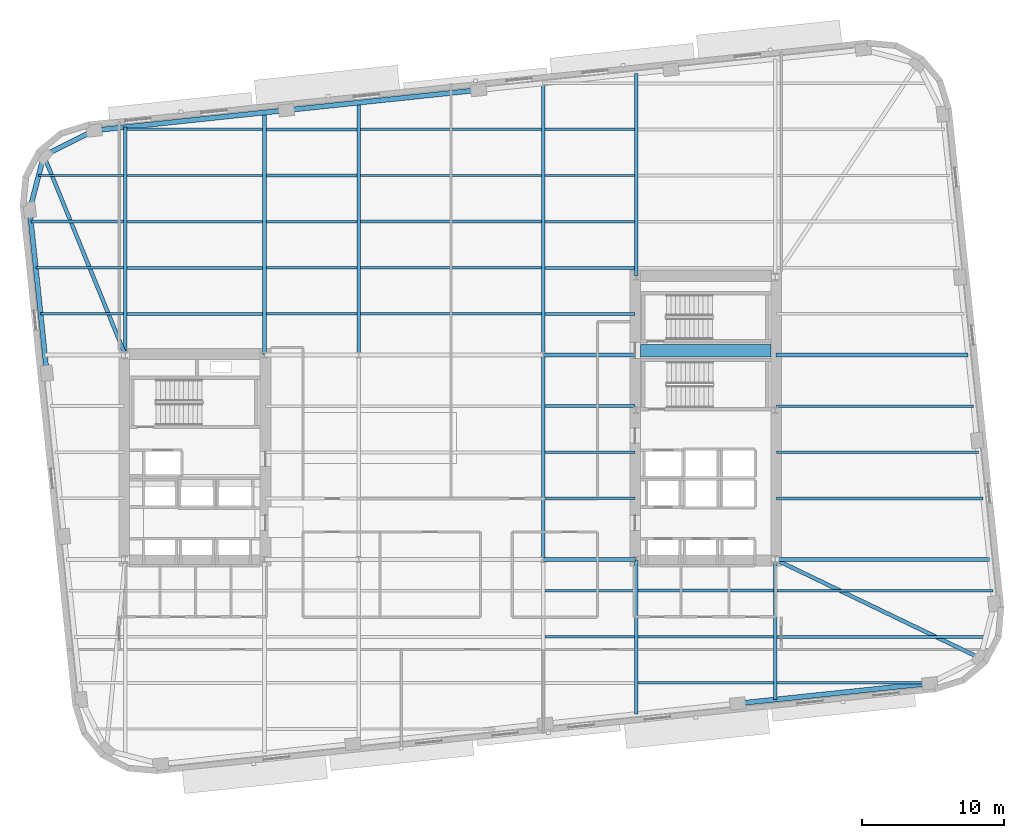
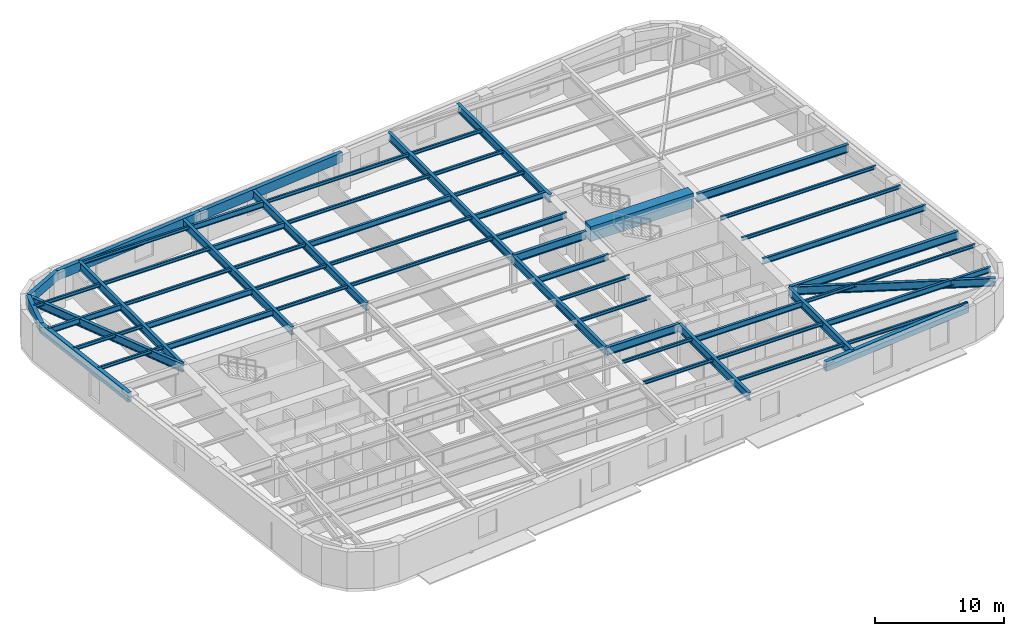
# One storey, part 2 of 12: 59 beams.
"""IFC4 building model written with IfcOpenShell, lengths in metres."""

from ifc_helpers import new_model, si_unit, direction, frame, origin, origin_2d, place, context, subcontext, project, spatial, rectangle, hollow_rectangle, i_section, extrude, material, material_profile, profile_set, type_object, element, save


model = new_model("IFC4")

# Units and contexts
model_context = context("Model", 3, precision=1e-05, world=origin(), true_north=direction((0.0, 1.0)))
body_context = subcontext(model_context, "Body", "Model", "MODEL_VIEW")
ifc_project = project(units=[si_unit("LENGTHUNIT", "METRE"), si_unit("AREAUNIT", "SQUARE_METRE"), si_unit("VOLUMEUNIT", "CUBIC_METRE"), si_unit("PLANEANGLEUNIT", "RADIAN"), si_unit("MASSUNIT", "GRAM", prefix="KILO")], contexts=[model_context])

# Site, building, storey
site_placement = place(None, origin())
site = spatial("IfcSite", under=ifc_project, at=site_placement, CompositionType="ELEMENT")
building_placement = place(site_placement, origin())
building = spatial("IfcBuilding", under=site, at=building_placement, Name="Kolvaren Arena Tower", CompositionType="ELEMENT")
storey_placement = place(building_placement, frame((0.0, 0.0, 110.949951171875)))
storey = spatial("IfcBuildingStorey", under=building, at=storey_placement, Name="L25", CompositionType="ELEMENT", Elevation=110.949951171875)

# Beams
ifc_material_1 = material(Name="Steel CSA G40.21 350W", Category="steel")
ifc_material_profile_1 = material_profile(ifc_material_1, i_section(OverallWidth=0.2119140625, OverallDepth=0.54296875, WebThickness=0.01318359375, FlangeThickness=0.0244140625, FilletRadius=0.013916015625, at=origin_2d()), Name="W530x150")
ifc_profile_set_1 = profile_set([ifc_material_profile_1], Name="Steel CSA G40.21 350W")
beam_type_1 = type_object("IfcBeamType", Name="BEAM-F1", PredefinedType="BEAM", material=ifc_profile_set_1)
beam_1_placement = place(storey_placement, frame((60.485107421875, 14.0, 3.20849609375), z_axis=(1.0, 0.0, 0.0), x_axis=(0.0, 1.0, 0.0)))
element("IfcBeam", 1, at=beam_1_placement, inside=storey, type_object=beam_type_1, Name="Composite Floor Beam (L25)", PredefinedType="BEAM", context=body_context, shape_type="SweptSolid", body=[
    extrude(i_section(OverallWidth=0.2119140625, OverallDepth=0.54296875, WebThickness=0.01318359375, FlangeThickness=0.0244140625, FilletRadius=0.013916015625, at=origin_2d()), origin(), (0.0, 0.0, 1.0), 14.69677734375),
])
beam_2_placement = place(storey_placement, frame((50.68505859375, 17.25, 3.20849609375), z_axis=(1.0, 0.0, 0.0), x_axis=(0.0, 1.0, 0.0)))
element("IfcBeam", 2, at=beam_2_placement, inside=storey, type_object=beam_type_1, Name="Composite Floor Beam (L25)", PredefinedType="BEAM", context=body_context, shape_type="SweptSolid", body=[
    extrude(i_section(OverallWidth=0.2119140625, OverallDepth=0.54296875, WebThickness=0.01318359375, FlangeThickness=0.0244140625, FilletRadius=0.013916015625, at=origin_2d()), origin(), (0.0, 0.0, 1.0), 9.530029296875),
])
beam_3_placement = place(storey_placement, frame((60.445068359375, 23.75, 3.20849609375), z_axis=(1.0, 0.0, 0.0), x_axis=(0.0, 1.0, 0.0)))
element("IfcBeam", 3, at=beam_3_placement, inside=storey, type_object=beam_type_1, Name="Composite Floor Beam (L25)", PredefinedType="BEAM", context=body_context, shape_type="SweptSolid", body=[
    extrude(i_section(OverallWidth=0.2119140625, OverallDepth=0.54296875, WebThickness=0.01318359375, FlangeThickness=0.0244140625, FilletRadius=0.013916015625, at=origin_2d()), origin(), (0.0, 0.0, 1.0), 14.56103515625),
])
beam_4_placement = place(storey_placement, frame((44.135009765625, 30.25, 3.20849609375), z_axis=(1.0, 0.0, 0.0), x_axis=(0.0, 1.0, 0.0)))
element("IfcBeam", 4, at=beam_4_placement, inside=storey, type_object=beam_type_1, Name="Composite Floor Beam (L25)", PredefinedType="BEAM", context=body_context, shape_type="SweptSolid", body=[
    extrude(i_section(OverallWidth=0.2119140625, OverallDepth=0.54296875, WebThickness=0.01318359375, FlangeThickness=0.0244140625, FilletRadius=0.013916015625, at=origin_2d()), origin(), (0.0, 0.0, 1.0), 6.320068359375),
])
beam_5_placement = place(storey_placement, frame((14.68505859375, 36.75, 3.20849609375), z_axis=(1.0, 0.0, 0.0), x_axis=(0.0, 1.0, 0.0)))
element("IfcBeam", 5, at=beam_5_placement, inside=storey, type_object=beam_type_1, Name="Composite Floor Beam (L25)", PredefinedType="BEAM", context=body_context, shape_type="SweptSolid", body=[
    extrude(i_section(OverallWidth=0.2119140625, OverallDepth=0.54296875, WebThickness=0.01318359375, FlangeThickness=0.0244140625, FilletRadius=0.013916015625, at=origin_2d()), origin(), (0.0, 0.0, 1.0), 9.530029296875),
])
beam_6_placement = place(storey_placement, frame((44.135009765625, 36.75, 3.20849609375), z_axis=(1.0, 0.0, 0.0), x_axis=(0.0, 1.0, 0.0)))
element("IfcBeam", 6, at=beam_6_placement, inside=storey, type_object=beam_type_1, Name="Composite Floor Beam (L25)", PredefinedType="BEAM", context=body_context, shape_type="SweptSolid", body=[
    extrude(i_section(OverallWidth=0.2119140625, OverallDepth=0.54296875, WebThickness=0.01318359375, FlangeThickness=0.0244140625, FilletRadius=0.013916015625, at=origin_2d()), origin(), (0.0, 0.0, 1.0), 6.320068359375),
])
beam_7_placement = place(storey_placement, frame((14.68505859375, 40.0, 3.20849609375), z_axis=(1.0, 0.0, 0.0), x_axis=(0.0, 1.0, 0.0)))
element("IfcBeam", 7, at=beam_7_placement, inside=storey, type_object=beam_type_1, Name="Composite Floor Beam (L25)", PredefinedType="BEAM", context=body_context, shape_type="SweptSolid", body=[
    extrude(i_section(OverallWidth=0.2119140625, OverallDepth=0.54296875, WebThickness=0.01318359375, FlangeThickness=0.0244140625, FilletRadius=0.013916015625, at=origin_2d()), origin(), (0.0, 0.0, 1.0), 9.530029296875),
])
beam_8_placement = place(storey_placement, frame((44.135009765625, 40.0, 3.20849609375), z_axis=(1.0, 0.0, 0.0), x_axis=(0.0, 1.0, 0.0)))
element("IfcBeam", 8, at=beam_8_placement, inside=storey, type_object=beam_type_1, Name="Composite Floor Beam (L25)", PredefinedType="BEAM", context=body_context, shape_type="SweptSolid", body=[
    extrude(i_section(OverallWidth=0.2119140625, OverallDepth=0.54296875, WebThickness=0.01318359375, FlangeThickness=0.0244140625, FilletRadius=0.013916015625, at=origin_2d()), origin(), (0.0, 0.0, 1.0), 6.280029296875),
])
beam_9_placement = place(storey_placement, frame((7.900146484375, 43.25, 3.20849609375), z_axis=(1.0, 0.0, 0.0), x_axis=(0.0, 1.0, 0.0)))
element("IfcBeam", 9, at=beam_9_placement, inside=storey, type_object=beam_type_1, Name="Composite Floor Beam (L25)", PredefinedType="BEAM", context=body_context, shape_type="SweptSolid", body=[
    extrude(i_section(OverallWidth=0.2119140625, OverallDepth=0.54296875, WebThickness=0.01318359375, FlangeThickness=0.0244140625, FilletRadius=0.013916015625, at=origin_2d()), origin(), (0.0, 0.0, 1.0), 6.514892578125),
])
beam_10_placement = place(storey_placement, frame((31.135009765625, 43.25, 3.20849609375), z_axis=(1.0, 0.0, 0.0), x_axis=(0.0, 1.0, 0.0)))
element("IfcBeam", 10, at=beam_10_placement, inside=storey, type_object=beam_type_1, Name="Composite Floor Beam (L25)", PredefinedType="BEAM", context=body_context, shape_type="SweptSolid", body=[
    extrude(i_section(OverallWidth=0.2119140625, OverallDepth=0.54296875, WebThickness=0.01318359375, FlangeThickness=0.0244140625, FilletRadius=0.013916015625, at=origin_2d()), origin(), (0.0, 0.0, 1.0), 12.72998046875),
])
for number, where, z_axis, x_axis, name in (
    (11, (24.485107421875, 46.5, 3.20849609375), (1.0, 0.0, 0.0), (0.0, 1.0, 0.0), "Composite Floor Beam (L25)"),
    (12, (24.485107421875, 49.75, 3.20849609375), (1.0, 0.0, 0.0), (0.0, 1.0, 0.0), "Composite Floor Beam (L25)"),
):
    element("IfcBeam", number, at=place(storey_placement, frame(where, z_axis=z_axis, x_axis=x_axis)), inside=storey, type_object=beam_type_1, Name=name, PredefinedType="BEAM", context=body_context, shape_type="SweptSolid", body=[
        extrude(i_section(OverallWidth=0.2119140625, OverallDepth=0.54296875, WebThickness=0.01318359375, FlangeThickness=0.0244140625, FilletRadius=0.013916015625, at=origin_2d()), origin(), (0.0, 0.0, 1.0), 6.3798828125),
    ])
ifc_material_2 = material(Name="Concrete 75 MPa", Category="concrete")
ifc_material_profile_2 = material_profile(ifc_material_2, rectangle(XDim=0.89990234375, YDim=1.39990234375, at=origin_2d()), Name="RC-900x1400")
ifc_profile_set_2 = profile_set([ifc_material_profile_2], Name="Concrete 75 MPa")
beam_type_2 = type_object("IfcBeamType", Name="CB-CORE-1", PredefinedType="BEAM", material=ifc_profile_set_2)
beam_11_placement = place(storey_placement, frame((50.85009765625, 34.14990234375, 3.050048828125), z_axis=(1.0, 0.0, 0.0), x_axis=(0.0, 1.0, 0.0)))
element("IfcBeam", 13, at=beam_11_placement, inside=storey, type_object=beam_type_2, Name="East Core Coupling Beam (L25)", PredefinedType="BEAM", context=body_context, shape_type="SweptSolid", body=[
    extrude(rectangle(XDim=0.89990234375, YDim=1.39990234375, at=origin_2d()), origin(), (0.0, 0.0, 1.0), 9.199951171875),
])
ifc_material_profile_3 = material_profile(ifc_material_1, i_section(OverallWidth=0.27001953125, OverallDepth=0.77294921875, WebThickness=0.019287109375, FlangeThickness=0.033447265625, FilletRadius=0.01806640625, at=origin_2d()), Name="W760x257")
ifc_profile_set_3 = profile_set([ifc_material_profile_3], Name="Steel CSA G40.21 350W")
beam_type_3 = type_object("IfcBeamType", Name="GIRD-T1", PredefinedType="BEAM", material=ifc_profile_set_3)
beam_12_placement = place(storey_placement, frame((74.790283203125, 12.49267578125, 3.093505859375), z_axis=(-0.900889626424, 0.43404824732, 0.0), x_axis=(-0.43404824732, -0.900889626424, 0.0)))
element("IfcBeam", 14, at=beam_12_placement, inside=storey, type_object=beam_type_3, Name="Corner Diagonal Tie Girder (L25)", PredefinedType="BEAM", context=body_context, shape_type="SweptSolid", body=[
    extrude(i_section(OverallWidth=0.27001953125, OverallDepth=0.77294921875, WebThickness=0.019287109375, FlangeThickness=0.033447265625, FilletRadius=0.01806640625, at=origin_2d()), origin(), (0.0, 0.0, 1.0), 16.02880859375),
])
beam_13_placement = place(storey_placement, frame((8.8095703125, 47.9072265625, 3.093505859375), z_axis=(0.378059288681, -0.925781385772, 0.0), x_axis=(0.925781385772, 0.378059288681, 0.0)))
element("IfcBeam", 15, at=beam_13_placement, inside=storey, type_object=beam_type_3, Name="Corner Diagonal Tie Girder (L25)", PredefinedType="BEAM", context=body_context, shape_type="SweptSolid", body=[
    extrude(i_section(OverallWidth=0.27001953125, OverallDepth=0.77294921875, WebThickness=0.019287109375, FlangeThickness=0.033447265625, FilletRadius=0.01806640625, at=origin_2d()), origin(), (0.0, 0.0, 1.0), 15.18408203125),
])
beam_14_placement = place(storey_placement, frame((44.0, 19.449951171875, 3.093505859375), z_axis=(1.0, 0.0, 0.0), x_axis=(0.0, 1.0, 0.0)))
element("IfcBeam", 16, at=beam_14_placement, inside=storey, type_object=beam_type_3, Name="Primary Floor Girder (L25)", PredefinedType="BEAM", context=body_context, shape_type="SweptSolid", body=[
    extrude(i_section(OverallWidth=0.27001953125, OverallDepth=0.77294921875, WebThickness=0.019287109375, FlangeThickness=0.033447265625, FilletRadius=0.01806640625, at=origin_2d()), origin(), (0.0, 0.0, 1.0), 6.4951171875),
])
beam_15_placement = place(storey_placement, frame((60.405029296875, 19.449951171875, 3.093505859375), z_axis=(1.0, 0.0, 0.0), x_axis=(0.0, 1.0, 0.0)))
element("IfcBeam", 17, at=beam_15_placement, inside=storey, type_object=beam_type_3, Name="Primary Floor Girder (L25)", PredefinedType="BEAM", context=body_context, shape_type="SweptSolid", body=[
    extrude(i_section(OverallWidth=0.27001953125, OverallDepth=0.77294921875, WebThickness=0.019287109375, FlangeThickness=0.033447265625, FilletRadius=0.01806640625, at=origin_2d()), origin(), (0.0, 0.0, 1.0), 15.052978515625),
])
beam_16_placement = place(storey_placement, frame((44.0, 33.85009765625, 3.093505859375), z_axis=(1.0, 0.0, 0.0), x_axis=(0.0, 1.0, 0.0)))
element("IfcBeam", 18, at=beam_16_placement, inside=storey, type_object=beam_type_3, Name="Primary Floor Girder (L25)", PredefinedType="BEAM", context=body_context, shape_type="SweptSolid", body=[
    extrude(i_section(OverallWidth=0.27001953125, OverallDepth=0.77294921875, WebThickness=0.019287109375, FlangeThickness=0.033447265625, FilletRadius=0.01806640625, at=origin_2d()), origin(), (0.0, 0.0, 1.0), 6.4951171875),
])
beam_17_placement = place(storey_placement, frame((60.405029296875, 33.85009765625, 3.093505859375), z_axis=(1.0, 0.0, 0.0), x_axis=(0.0, 1.0, 0.0)))
element("IfcBeam", 19, at=beam_17_placement, inside=storey, type_object=beam_type_3, Name="Primary Floor Girder (L25)", PredefinedType="BEAM", context=body_context, shape_type="SweptSolid", body=[
    extrude(i_section(OverallWidth=0.27001953125, OverallDepth=0.77294921875, WebThickness=0.019287109375, FlangeThickness=0.033447265625, FilletRadius=0.01806640625, at=origin_2d()), origin(), (0.0, 0.0, 1.0), 13.53955078125),
])
beam_18_placement = place(storey_placement, frame((14.550048828125, 33.905029296875, 3.093505859375), z_axis=(0.0, 1.0, 0.0), x_axis=(-1.0, 0.0, 0.0)))
element("IfcBeam", 20, at=beam_18_placement, inside=storey, type_object=beam_type_3, Name="Primary Floor Girder (L25)", PredefinedType="BEAM", context=body_context, shape_type="SweptSolid", body=[
    extrude(i_section(OverallWidth=0.27001953125, OverallDepth=0.77294921875, WebThickness=0.019287109375, FlangeThickness=0.033447265625, FilletRadius=0.01806640625, at=origin_2d()), origin(), (0.0, 0.0, 1.0), 16.004638671875),
])
beam_19_placement = place(storey_placement, frame((24.35009765625, 33.905029296875, 3.093505859375), z_axis=(0.0, 1.0, 0.0), x_axis=(-1.0, 0.0, 0.0)))
element("IfcBeam", 21, at=beam_19_placement, inside=storey, type_object=beam_type_3, Name="Primary Floor Girder (L25)", PredefinedType="BEAM", context=body_context, shape_type="SweptSolid", body=[
    extrude(i_section(OverallWidth=0.27001953125, OverallDepth=0.77294921875, WebThickness=0.019287109375, FlangeThickness=0.033447265625, FilletRadius=0.01806640625, at=origin_2d()), origin(), (0.0, 0.0, 1.0), 17.03466796875),
])
beam_20_placement = place(storey_placement, frame((31.0, 33.85009765625, 3.093505859375), z_axis=(0.0, 1.0, 0.0), x_axis=(-1.0, 0.0, 0.0)))
element("IfcBeam", 22, at=beam_20_placement, inside=storey, type_object=beam_type_3, Name="Primary Floor Girder (L25)", PredefinedType="BEAM", context=body_context, shape_type="SweptSolid", body=[
    extrude(i_section(OverallWidth=0.27001953125, OverallDepth=0.77294921875, WebThickness=0.019287109375, FlangeThickness=0.033447265625, FilletRadius=0.01806640625, at=origin_2d()), origin(), (0.0, 0.0, 1.0), 17.788330078125),
])
beam_21_placement = place(storey_placement, frame((44.0, 19.449951171875, 3.093505859375), z_axis=(0.0, 1.0, 0.0), x_axis=(-1.0, 0.0, 0.0)))
element("IfcBeam", 23, at=beam_21_placement, inside=storey, type_object=beam_type_3, Name="Primary Floor Girder (L25)", PredefinedType="BEAM", context=body_context, shape_type="SweptSolid", body=[
    extrude(i_section(OverallWidth=0.27001953125, OverallDepth=0.77294921875, WebThickness=0.019287109375, FlangeThickness=0.033447265625, FilletRadius=0.01806640625, at=origin_2d()), origin(), (0.0, 0.0, 1.0), 14.400146484375),
])
beam_22_placement = place(storey_placement, frame((44.0, 33.85009765625, 3.093505859375), z_axis=(0.0, 1.0, 0.0), x_axis=(-1.0, 0.0, 0.0)))
element("IfcBeam", 24, at=beam_22_placement, inside=storey, type_object=beam_type_3, Name="Primary Floor Girder (L25)", PredefinedType="BEAM", context=body_context, shape_type="SweptSolid", body=[
    extrude(i_section(OverallWidth=0.27001953125, OverallDepth=0.77294921875, WebThickness=0.019287109375, FlangeThickness=0.033447265625, FilletRadius=0.01806640625, at=origin_2d()), origin(), (0.0, 0.0, 1.0), 19.15478515625),
])
beam_23_placement = place(storey_placement, frame((50.550048828125, 8.5458984375, 3.093505859375), z_axis=(0.0, 1.0, 0.0), x_axis=(-1.0, 0.0, 0.0)))
element("IfcBeam", 25, at=beam_23_placement, inside=storey, type_object=beam_type_3, Name="Primary Floor Girder (L25)", PredefinedType="BEAM", context=body_context, shape_type="SweptSolid", body=[
    extrude(i_section(OverallWidth=0.27001953125, OverallDepth=0.77294921875, WebThickness=0.019287109375, FlangeThickness=0.033447265625, FilletRadius=0.01806640625, at=origin_2d()), origin(), (0.0, 0.0, 1.0), 10.84912109375),
])
beam_24_placement = place(storey_placement, frame((50.550048828125, 39.405029296875, 3.093505859375), z_axis=(0.0, 1.0, 0.0), x_axis=(-1.0, 0.0, 0.0)))
element("IfcBeam", 26, at=beam_24_placement, inside=storey, type_object=beam_type_3, Name="Primary Floor Girder (L25)", PredefinedType="BEAM", context=body_context, shape_type="SweptSolid", body=[
    extrude(i_section(OverallWidth=0.27001953125, OverallDepth=0.77294921875, WebThickness=0.019287109375, FlangeThickness=0.033447265625, FilletRadius=0.01806640625, at=origin_2d()), origin(), (0.0, 0.0, 1.0), 14.288330078125),
])
beam_25_placement = place(storey_placement, frame((60.35009765625, 9.575927734375, 3.093505859375), z_axis=(0.0, 1.0, 0.0), x_axis=(-1.0, 0.0, 0.0)))
element("IfcBeam", 27, at=beam_25_placement, inside=storey, type_object=beam_type_3, Name="Primary Floor Girder (L25)", PredefinedType="BEAM", context=body_context, shape_type="SweptSolid", body=[
    extrude(i_section(OverallWidth=0.27001953125, OverallDepth=0.77294921875, WebThickness=0.019287109375, FlangeThickness=0.033447265625, FilletRadius=0.01806640625, at=origin_2d()), origin(), (0.0, 0.0, 1.0), 9.819091796875),
])
ifc_material_profile_4 = material_profile(ifc_material_1, i_section(OverallWidth=0.1669921875, OverallDepth=0.31689453125, WebThickness=0.007568359375, FlangeThickness=0.01318359375, FilletRadius=0.010009765625, at=origin_2d()), Name="W310x52")
ifc_profile_set_4 = profile_set([ifc_material_profile_4], Name="Steel CSA G40.21 350W")
beam_type_4 = type_object("IfcBeamType", Name="JOIST-02", PredefinedType="JOIST", material=ifc_profile_set_4)
beam_26_placement = place(storey_placement, frame((50.68505859375, 10.75, 3.321533203125), z_axis=(1.0, 0.0, 0.0), x_axis=(0.0, 1.0, 0.0)))
element("IfcBeam", 28, at=beam_26_placement, inside=storey, type_object=beam_type_4, Name="Composite Floor Joist (L25)", PredefinedType="JOIST", context=body_context, shape_type="SweptSolid", body=[
    extrude(i_section(OverallWidth=0.1669921875, OverallDepth=0.31689453125, WebThickness=0.007568359375, FlangeThickness=0.01318359375, FilletRadius=0.010009765625, at=origin_2d()), origin(), (0.0, 0.0, 1.0), 9.530029296875),
])
beam_27_placement = place(storey_placement, frame((60.485107421875, 10.75, 3.321533203125), z_axis=(1.0, 0.0, 0.0), x_axis=(0.0, 1.0, 0.0)))
element("IfcBeam", 29, at=beam_27_placement, inside=storey, type_object=beam_type_4, Name="Composite Floor Joist (L25)", PredefinedType="JOIST", context=body_context, shape_type="SweptSolid", body=[
    extrude(i_section(OverallWidth=0.1669921875, OverallDepth=0.31689453125, WebThickness=0.007568359375, FlangeThickness=0.01318359375, FilletRadius=0.010009765625, at=origin_2d()), origin(), (0.0, 0.0, 1.0), 10.819580078125),
])
beam_28_placement = place(storey_placement, frame((44.135009765625, 14.0, 3.321533203125), z_axis=(1.0, 0.0, 0.0), x_axis=(0.0, 1.0, 0.0)))
element("IfcBeam", 30, at=beam_28_placement, inside=storey, type_object=beam_type_4, Name="Composite Floor Joist (L25)", PredefinedType="JOIST", context=body_context, shape_type="SweptSolid", body=[
    extrude(i_section(OverallWidth=0.1669921875, OverallDepth=0.31689453125, WebThickness=0.007568359375, FlangeThickness=0.01318359375, FilletRadius=0.010009765625, at=origin_2d()), origin(), (0.0, 0.0, 1.0), 6.280029296875),
])
beam_29_placement = place(storey_placement, frame((50.68505859375, 14.0, 3.321533203125), z_axis=(1.0, 0.0, 0.0), x_axis=(0.0, 1.0, 0.0)))
element("IfcBeam", 31, at=beam_29_placement, inside=storey, type_object=beam_type_4, Name="Composite Floor Joist (L25)", PredefinedType="JOIST", context=body_context, shape_type="SweptSolid", body=[
    extrude(i_section(OverallWidth=0.1669921875, OverallDepth=0.31689453125, WebThickness=0.007568359375, FlangeThickness=0.01318359375, FilletRadius=0.010009765625, at=origin_2d()), origin(), (0.0, 0.0, 1.0), 9.530029296875),
])
beam_30_placement = place(storey_placement, frame((44.135009765625, 17.25, 3.321533203125), z_axis=(1.0, 0.0, 0.0), x_axis=(0.0, 1.0, 0.0)))
element("IfcBeam", 32, at=beam_30_placement, inside=storey, type_object=beam_type_4, Name="Composite Floor Joist (L25)", PredefinedType="JOIST", context=body_context, shape_type="SweptSolid", body=[
    extrude(i_section(OverallWidth=0.1669921875, OverallDepth=0.31689453125, WebThickness=0.007568359375, FlangeThickness=0.01318359375, FilletRadius=0.010009765625, at=origin_2d()), origin(), (0.0, 0.0, 1.0), 6.280029296875),
])
beam_31_placement = place(storey_placement, frame((60.485107421875, 17.25, 3.321533203125), z_axis=(1.0, 0.0, 0.0), x_axis=(0.0, 1.0, 0.0)))
element("IfcBeam", 33, at=beam_31_placement, inside=storey, type_object=beam_type_4, Name="Composite Floor Joist (L25)", PredefinedType="JOIST", context=body_context, shape_type="SweptSolid", body=[
    extrude(i_section(OverallWidth=0.1669921875, OverallDepth=0.31689453125, WebThickness=0.007568359375, FlangeThickness=0.01318359375, FilletRadius=0.010009765625, at=origin_2d()), origin(), (0.0, 0.0, 1.0), 15.2041015625),
])
for number, where, z_axis, x_axis, name in (
    (34, (44.135009765625, 23.75, 3.321533203125), (1.0, 0.0, 0.0), (0.0, 1.0, 0.0), "Composite Floor Joist (L25)"),
    (35, (44.135009765625, 27.0, 3.321533203125), (1.0, 0.0, 0.0), (0.0, 1.0, 0.0), "Composite Floor Joist (L25)"),
):
    element("IfcBeam", number, at=place(storey_placement, frame(where, z_axis=z_axis, x_axis=x_axis)), inside=storey, type_object=beam_type_4, Name=name, PredefinedType="JOIST", context=body_context, shape_type="SweptSolid", body=[
        extrude(i_section(OverallWidth=0.1669921875, OverallDepth=0.31689453125, WebThickness=0.007568359375, FlangeThickness=0.01318359375, FilletRadius=0.010009765625, at=origin_2d()), origin(), (0.0, 0.0, 1.0), 6.320068359375),
    ])
beam_32_placement = place(storey_placement, frame((60.445068359375, 27.0, 3.321533203125), z_axis=(1.0, 0.0, 0.0), x_axis=(0.0, 1.0, 0.0)))
element("IfcBeam", 36, at=beam_32_placement, inside=storey, type_object=beam_type_4, Name="Composite Floor Joist (L25)", PredefinedType="JOIST", context=body_context, shape_type="SweptSolid", body=[
    extrude(i_section(OverallWidth=0.1669921875, OverallDepth=0.31689453125, WebThickness=0.007568359375, FlangeThickness=0.01318359375, FilletRadius=0.010009765625, at=origin_2d()), origin(), (0.0, 0.0, 1.0), 14.219482421875),
])
beam_33_placement = place(storey_placement, frame((60.445068359375, 30.25, 3.321533203125), z_axis=(1.0, 0.0, 0.0), x_axis=(0.0, 1.0, 0.0)))
element("IfcBeam", 37, at=beam_33_placement, inside=storey, type_object=beam_type_4, Name="Composite Floor Joist (L25)", PredefinedType="JOIST", context=body_context, shape_type="SweptSolid", body=[
    extrude(i_section(OverallWidth=0.1669921875, OverallDepth=0.31689453125, WebThickness=0.007568359375, FlangeThickness=0.01318359375, FilletRadius=0.010009765625, at=origin_2d()), origin(), (0.0, 0.0, 1.0), 13.8779296875),
])
beam_34_placement = place(storey_placement, frame((8.58349609375, 36.75, 3.321533203125), z_axis=(1.0, 0.0, 0.0), x_axis=(0.0, 1.0, 0.0)))
element("IfcBeam", 38, at=beam_34_placement, inside=storey, type_object=beam_type_4, Name="Composite Floor Joist (L25)", PredefinedType="JOIST", context=body_context, shape_type="SweptSolid", body=[
    extrude(i_section(OverallWidth=0.1669921875, OverallDepth=0.31689453125, WebThickness=0.007568359375, FlangeThickness=0.01318359375, FilletRadius=0.010009765625, at=origin_2d()), origin(), (0.0, 0.0, 1.0), 5.83154296875),
])
beam_35_placement = place(storey_placement, frame((24.485107421875, 36.75, 3.321533203125), z_axis=(1.0, 0.0, 0.0), x_axis=(0.0, 1.0, 0.0)))
element("IfcBeam", 39, at=beam_35_placement, inside=storey, type_object=beam_type_4, Name="Composite Floor Joist (L25)", PredefinedType="JOIST", context=body_context, shape_type="SweptSolid", body=[
    extrude(i_section(OverallWidth=0.1669921875, OverallDepth=0.31689453125, WebThickness=0.007568359375, FlangeThickness=0.01318359375, FilletRadius=0.010009765625, at=origin_2d()), origin(), (0.0, 0.0, 1.0), 6.3798828125),
])
beam_36_placement = place(storey_placement, frame((31.135009765625, 36.75, 3.321533203125), z_axis=(1.0, 0.0, 0.0), x_axis=(0.0, 1.0, 0.0)))
element("IfcBeam", 40, at=beam_36_placement, inside=storey, type_object=beam_type_4, Name="Composite Floor Joist (L25)", PredefinedType="JOIST", context=body_context, shape_type="SweptSolid", body=[
    extrude(i_section(OverallWidth=0.1669921875, OverallDepth=0.31689453125, WebThickness=0.007568359375, FlangeThickness=0.01318359375, FilletRadius=0.010009765625, at=origin_2d()), origin(), (0.0, 0.0, 1.0), 12.72998046875),
])
beam_37_placement = place(storey_placement, frame((8.24169921875, 40.0, 3.321533203125), z_axis=(1.0, 0.0, 0.0), x_axis=(0.0, 1.0, 0.0)))
element("IfcBeam", 41, at=beam_37_placement, inside=storey, type_object=beam_type_4, Name="Composite Floor Joist (L25)", PredefinedType="JOIST", context=body_context, shape_type="SweptSolid", body=[
    extrude(i_section(OverallWidth=0.1669921875, OverallDepth=0.31689453125, WebThickness=0.007568359375, FlangeThickness=0.01318359375, FilletRadius=0.010009765625, at=origin_2d()), origin(), (0.0, 0.0, 1.0), 6.17333984375),
])
beam_38_placement = place(storey_placement, frame((24.485107421875, 40.0, 3.321533203125), z_axis=(1.0, 0.0, 0.0), x_axis=(0.0, 1.0, 0.0)))
element("IfcBeam", 42, at=beam_38_placement, inside=storey, type_object=beam_type_4, Name="Composite Floor Joist (L25)", PredefinedType="JOIST", context=body_context, shape_type="SweptSolid", body=[
    extrude(i_section(OverallWidth=0.1669921875, OverallDepth=0.31689453125, WebThickness=0.007568359375, FlangeThickness=0.01318359375, FilletRadius=0.010009765625, at=origin_2d()), origin(), (0.0, 0.0, 1.0), 6.3798828125),
])
beam_39_placement = place(storey_placement, frame((31.135009765625, 40.0, 3.321533203125), z_axis=(1.0, 0.0, 0.0), x_axis=(0.0, 1.0, 0.0)))
element("IfcBeam", 43, at=beam_39_placement, inside=storey, type_object=beam_type_4, Name="Composite Floor Joist (L25)", PredefinedType="JOIST", context=body_context, shape_type="SweptSolid", body=[
    extrude(i_section(OverallWidth=0.1669921875, OverallDepth=0.31689453125, WebThickness=0.007568359375, FlangeThickness=0.01318359375, FilletRadius=0.010009765625, at=origin_2d()), origin(), (0.0, 0.0, 1.0), 12.72998046875),
])
beam_40_placement = place(storey_placement, frame((14.68505859375, 43.25, 3.321533203125), z_axis=(1.0, 0.0, 0.0), x_axis=(0.0, 1.0, 0.0)))
element("IfcBeam", 44, at=beam_40_placement, inside=storey, type_object=beam_type_4, Name="Composite Floor Joist (L25)", PredefinedType="JOIST", context=body_context, shape_type="SweptSolid", body=[
    extrude(i_section(OverallWidth=0.1669921875, OverallDepth=0.31689453125, WebThickness=0.007568359375, FlangeThickness=0.01318359375, FilletRadius=0.010009765625, at=origin_2d()), origin(), (0.0, 0.0, 1.0), 9.530029296875),
])
beam_41_placement = place(storey_placement, frame((24.485107421875, 43.25, 3.321533203125), z_axis=(1.0, 0.0, 0.0), x_axis=(0.0, 1.0, 0.0)))
element("IfcBeam", 45, at=beam_41_placement, inside=storey, type_object=beam_type_4, Name="Composite Floor Joist (L25)", PredefinedType="JOIST", context=body_context, shape_type="SweptSolid", body=[
    extrude(i_section(OverallWidth=0.1669921875, OverallDepth=0.31689453125, WebThickness=0.007568359375, FlangeThickness=0.01318359375, FilletRadius=0.010009765625, at=origin_2d()), origin(), (0.0, 0.0, 1.0), 6.3798828125),
])
beam_42_placement = place(storey_placement, frame((44.135009765625, 43.25, 3.321533203125), z_axis=(1.0, 0.0, 0.0), x_axis=(0.0, 1.0, 0.0)))
element("IfcBeam", 46, at=beam_42_placement, inside=storey, type_object=beam_type_4, Name="Composite Floor Joist (L25)", PredefinedType="JOIST", context=body_context, shape_type="SweptSolid", body=[
    extrude(i_section(OverallWidth=0.1669921875, OverallDepth=0.31689453125, WebThickness=0.007568359375, FlangeThickness=0.01318359375, FilletRadius=0.010009765625, at=origin_2d()), origin(), (0.0, 0.0, 1.0), 6.280029296875),
])
beam_43_placement = place(storey_placement, frame((8.444091796875, 46.5, 3.321533203125), z_axis=(1.0, 0.0, 0.0), x_axis=(0.0, 1.0, 0.0)))
element("IfcBeam", 47, at=beam_43_placement, inside=storey, type_object=beam_type_4, Name="Composite Floor Joist (L25)", PredefinedType="JOIST", context=body_context, shape_type="SweptSolid", body=[
    extrude(i_section(OverallWidth=0.1669921875, OverallDepth=0.31689453125, WebThickness=0.007568359375, FlangeThickness=0.01318359375, FilletRadius=0.010009765625, at=origin_2d()), origin(), (0.0, 0.0, 1.0), 5.970947265625),
])
beam_44_placement = place(storey_placement, frame((14.68505859375, 46.5, 3.321533203125), z_axis=(1.0, 0.0, 0.0), x_axis=(0.0, 1.0, 0.0)))
element("IfcBeam", 48, at=beam_44_placement, inside=storey, type_object=beam_type_4, Name="Composite Floor Joist (L25)", PredefinedType="JOIST", context=body_context, shape_type="SweptSolid", body=[
    extrude(i_section(OverallWidth=0.1669921875, OverallDepth=0.31689453125, WebThickness=0.007568359375, FlangeThickness=0.01318359375, FilletRadius=0.010009765625, at=origin_2d()), origin(), (0.0, 0.0, 1.0), 9.530029296875),
])
beam_45_placement = place(storey_placement, frame((31.135009765625, 46.5, 3.321533203125), z_axis=(1.0, 0.0, 0.0), x_axis=(0.0, 1.0, 0.0)))
element("IfcBeam", 49, at=beam_45_placement, inside=storey, type_object=beam_type_4, Name="Composite Floor Joist (L25)", PredefinedType="JOIST", context=body_context, shape_type="SweptSolid", body=[
    extrude(i_section(OverallWidth=0.1669921875, OverallDepth=0.31689453125, WebThickness=0.007568359375, FlangeThickness=0.01318359375, FilletRadius=0.010009765625, at=origin_2d()), origin(), (0.0, 0.0, 1.0), 12.72998046875),
])
beam_46_placement = place(storey_placement, frame((44.135009765625, 46.5, 3.321533203125), z_axis=(1.0, 0.0, 0.0), x_axis=(0.0, 1.0, 0.0)))
element("IfcBeam", 50, at=beam_46_placement, inside=storey, type_object=beam_type_4, Name="Composite Floor Joist (L25)", PredefinedType="JOIST", context=body_context, shape_type="SweptSolid", body=[
    extrude(i_section(OverallWidth=0.1669921875, OverallDepth=0.31689453125, WebThickness=0.007568359375, FlangeThickness=0.01318359375, FilletRadius=0.010009765625, at=origin_2d()), origin(), (0.0, 0.0, 1.0), 6.280029296875),
])
beam_47_placement = place(storey_placement, frame((14.68505859375, 49.75, 3.321533203125), z_axis=(1.0, 0.0, 0.0), x_axis=(0.0, 1.0, 0.0)))
element("IfcBeam", 51, at=beam_47_placement, inside=storey, type_object=beam_type_4, Name="Composite Floor Joist (L25)", PredefinedType="JOIST", context=body_context, shape_type="SweptSolid", body=[
    extrude(i_section(OverallWidth=0.1669921875, OverallDepth=0.31689453125, WebThickness=0.007568359375, FlangeThickness=0.01318359375, FilletRadius=0.010009765625, at=origin_2d()), origin(), (0.0, 0.0, 1.0), 9.530029296875),
])
beam_48_placement = place(storey_placement, frame((31.135009765625, 49.75, 3.321533203125), z_axis=(1.0, 0.0, 0.0), x_axis=(0.0, 1.0, 0.0)))
element("IfcBeam", 52, at=beam_48_placement, inside=storey, type_object=beam_type_4, Name="Composite Floor Joist (L25)", PredefinedType="JOIST", context=body_context, shape_type="SweptSolid", body=[
    extrude(i_section(OverallWidth=0.1669921875, OverallDepth=0.31689453125, WebThickness=0.007568359375, FlangeThickness=0.01318359375, FilletRadius=0.010009765625, at=origin_2d()), origin(), (0.0, 0.0, 1.0), 12.72998046875),
])
beam_49_placement = place(storey_placement, frame((44.135009765625, 49.75, 3.321533203125), z_axis=(1.0, 0.0, 0.0), x_axis=(0.0, 1.0, 0.0)))
element("IfcBeam", 53, at=beam_49_placement, inside=storey, type_object=beam_type_4, Name="Composite Floor Joist (L25)", PredefinedType="JOIST", context=body_context, shape_type="SweptSolid", body=[
    extrude(i_section(OverallWidth=0.1669921875, OverallDepth=0.31689453125, WebThickness=0.007568359375, FlangeThickness=0.01318359375, FilletRadius=0.010009765625, at=origin_2d()), origin(), (0.0, 0.0, 1.0), 6.280029296875),
])
ifc_material_3 = material(Name="Steel CSA G40.21 350WT", Category="steel")
ifc_material_profile_5 = material_profile(ifc_material_3, hollow_rectangle(XDim=0.35009765625, YDim=0.89990234375, WallThickness=0.02001953125, at=origin_2d()), Name="HSS 900x350x20")
ifc_profile_set_5 = profile_set([ifc_material_profile_5], Name="Steel CSA G40.21 350WT")
beam_type_5 = type_object("IfcBeamType", Name="SPAND-01", PredefinedType="SPANDREL", material=ifc_profile_set_5)
for number, where, z_axis, x_axis, name in (
    (54, (57.697021484375, 9.297119140625, 3.030029296875), (0.994520955135, 0.104537408603, 0.0), (-0.104537408603, 0.994520955135, 0.0), "Perimeter Spandrel Beam (L25)"),
    (55, (39.453369140625, 52.527099609375, 3.030029296875), (-0.994520955135, -0.104537408603, 0.0), (0.104537408603, -0.994520955135, 0.0), "Perimeter Spandrel Beam (L25)"),
):
    element("IfcBeam", number, at=place(storey_placement, frame(where, z_axis=z_axis, x_axis=x_axis)), inside=storey, type_object=beam_type_5, Name=name, PredefinedType="SPANDREL", context=body_context, shape_type="SweptSolid", body=[
        extrude(hollow_rectangle(XDim=0.35009765625, YDim=0.89990234375, WallThickness=0.02001953125, at=origin_2d()), origin(), (0.0, 0.0, 1.0), 13.625),
    ])
beam_50_placement = place(storey_placement, frame((25.903076171875, 51.102783203125, 3.030029296875), z_axis=(-0.994523013632, -0.104517823154, 0.0), x_axis=(0.104517823154, -0.994523013632, 0.0)))
element("IfcBeam", 56, at=beam_50_placement, inside=storey, type_object=beam_type_5, Name="Perimeter Spandrel Beam (L25)", PredefinedType="SPANDREL", context=body_context, shape_type="SweptSolid", body=[
    extrude(hollow_rectangle(XDim=0.35009765625, YDim=0.89990234375, WallThickness=0.02001953125, at=origin_2d()), origin(), (0.0, 0.0, 1.0), 13.625244140625),
])
beam_51_placement = place(storey_placement, frame((12.3525390625, 49.6787109375, 3.030029296875), z_axis=(-0.894427191, -0.4472135955, 0.0), x_axis=(0.4472135955, -0.894427191, 0.0)))
element("IfcBeam", 57, at=beam_51_placement, inside=storey, type_object=beam_type_5, Name="Perimeter Spandrel Beam (L25)", PredefinedType="SPANDREL", context=body_context, shape_type="SweptSolid", body=[
    extrude(hollow_rectangle(XDim=0.35009765625, YDim=0.89990234375, WallThickness=0.02001953125, at=origin_2d()), origin(), (0.0, 0.0, 1.0), 3.961181640625),
])
beam_52_placement = place(storey_placement, frame((8.8095703125, 47.9072265625, 3.030029296875), z_axis=(-0.25141561169, -0.96787922294, 0.0), x_axis=(0.96787922294, -0.25141561169, 0.0)))
element("IfcBeam", 58, at=beam_52_placement, inside=storey, type_object=beam_type_5, Name="Perimeter Spandrel Beam (L25)", PredefinedType="SPANDREL", context=body_context, shape_type="SweptSolid", body=[
    extrude(hollow_rectangle(XDim=0.35009765625, YDim=0.89990234375, WallThickness=0.02001953125, at=origin_2d()), origin(), (0.0, 0.0, 1.0), 3.9609375),
])
beam_53_placement = place(storey_placement, frame((7.813720703125, 44.073486328125, 3.030029296875), z_axis=(0.104524366116, -0.994522325988, 0.0), x_axis=(0.994522325988, 0.104524366116, 0.0)))
element("IfcBeam", 59, at=beam_53_placement, inside=storey, type_object=beam_type_5, Name="Perimeter Spandrel Beam (L25)", PredefinedType="SPANDREL", context=body_context, shape_type="SweptSolid", body=[
    extrude(hollow_rectangle(XDim=0.35009765625, YDim=0.89990234375, WallThickness=0.02001953125, at=origin_2d()), origin(), (0.0, 0.0, 1.0), 11.566650390625),
])

save(model, "model.ifc")
